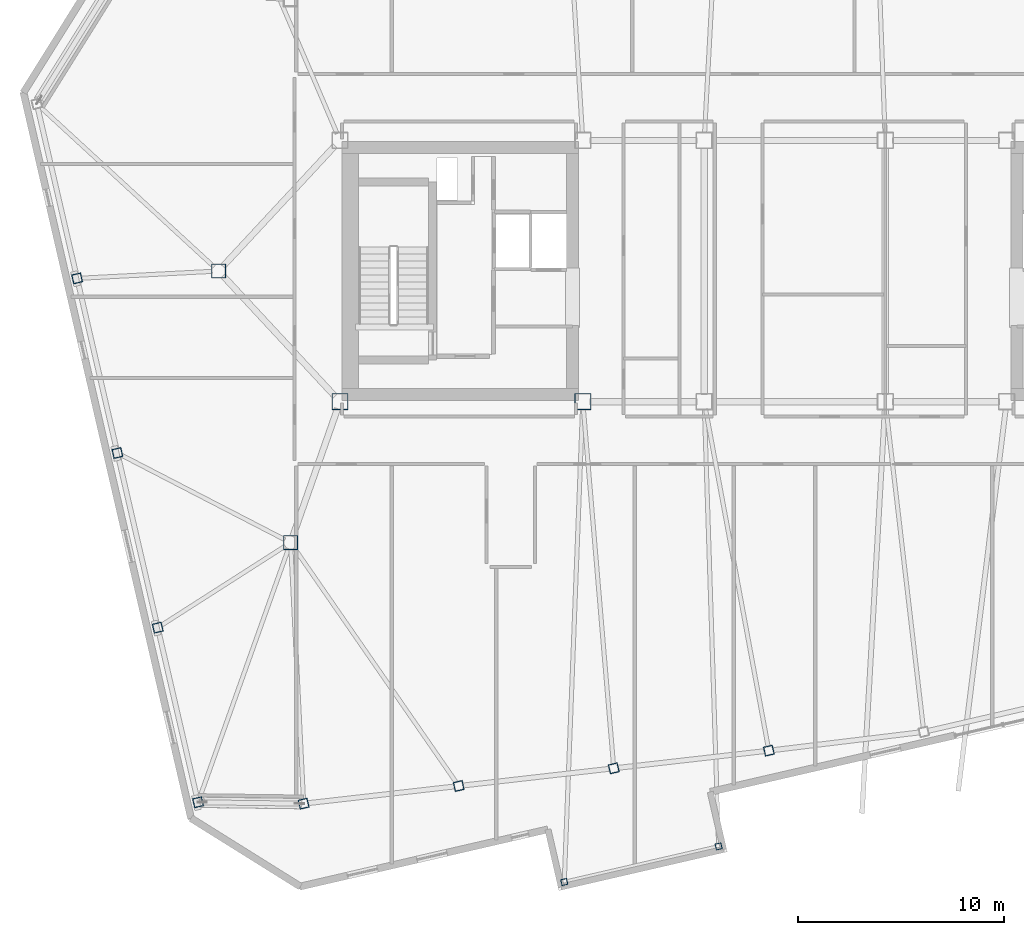
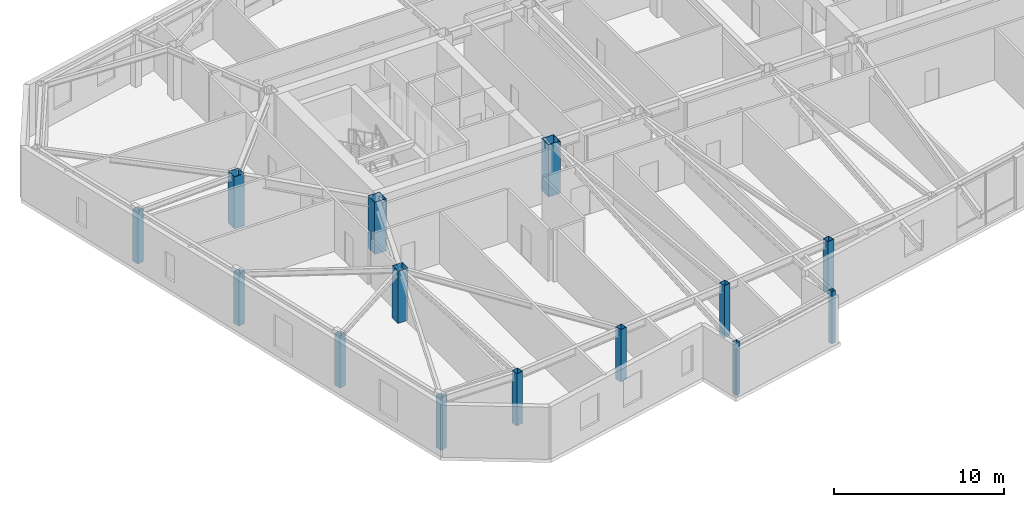
# One storey, part 1 of 21: 14 columns.
"""IFC4 building model written with IfcOpenShell, lengths in metres."""

from ifc_helpers import new_model, si_unit, direction, frame, origin, origin_2d, place, context, subcontext, project, spatial, hollow_rectangle, extrude, material, material_profile, profile_set, type_object, element, save


model = new_model("IFC4")

# Units and contexts
model_context = context("Model", 3, precision=1e-05, world=origin(), true_north=direction((0.0, 1.0)))
body_context = subcontext(model_context, "Body", "Model", "MODEL_VIEW")
ifc_project = project(units=[si_unit("LENGTHUNIT", "METRE"), si_unit("AREAUNIT", "SQUARE_METRE"), si_unit("VOLUMEUNIT", "CUBIC_METRE"), si_unit("PLANEANGLEUNIT", "RADIAN"), si_unit("MASSUNIT", "GRAM", prefix="KILO")], contexts=[model_context])

# Site, building, storey
site_placement = place(None, origin())
site = spatial("IfcSite", under=ifc_project, at=site_placement, CompositionType="ELEMENT")
building_placement = place(site_placement, origin())
building = spatial("IfcBuilding", under=site, at=building_placement, Name="Tavrogorsk Clinical Tower", CompositionType="ELEMENT")
storey_placement = place(building_placement, frame((0.0, 0.0, 285.0)))
storey = spatial("IfcBuildingStorey", under=building, at=storey_placement, Name="L66", CompositionType="ELEMENT", Elevation=285.0)

# Columns
ifc_material_1 = material(Name="Structural steel S390", Category="steel")
ifc_material_profile_1 = material_profile(ifc_material_1, hollow_rectangle(XDim=0.300048828125, YDim=0.300048828125, WallThickness=0.01611328125, at=origin_2d()), Name="SHS-300x300x16")
ifc_profile_set_1 = profile_set([ifc_material_profile_1], Name="Structural steel S390")
column_type_1 = type_object("IfcColumnType", Name="DayroomCol_SHS300", PredefinedType="COLUMN", material=ifc_profile_set_1)
for number, where, z_axis, x_axis, name in (
    (1, (-11.20068359375, -29.694580078125, 0.0), (0.0, 0.0, 1.0), (0.974370064785, 0.224951054344, 0.0), "L66 Day-Room Box Column DRB-09-L"),
    (2, (-3.697998046875, -27.962646484375, 0.0), (0.0, 0.0, 1.0), (0.974370064785, 0.224951054344, 0.0), "L66 Day-Room Box Column DRB-09-R"),
):
    element("IfcColumn", number, at=place(storey_placement, frame(where, z_axis=z_axis, x_axis=x_axis)), inside=storey, type_object=column_type_1, Name=name, PredefinedType="COLUMN", context=body_context, shape_type="SweptSolid", body=[
        extrude(hollow_rectangle(XDim=0.300048828125, YDim=0.300048828125, WallThickness=0.01611328125, at=origin_2d()), origin(), (0.0, 0.0, 1.0), 3.739990234375),
    ])
ifc_material_2 = material(Name="Structural steel S440", Category="steel")
ifc_material_profile_2 = material_profile(ifc_material_2, hollow_rectangle(XDim=0.699951171875, YDim=0.699951171875, WallThickness=0.031982421875, at=origin_2d()), Name="BOX-700x700x32")
ifc_profile_set_2 = profile_set([ifc_material_profile_2], Name="Structural steel S440")
column_type_2 = type_object("IfcColumnType", Name="MegaCol_BOX700", PredefinedType="COLUMN", material=ifc_profile_set_2)
for number, where, z_axis, x_axis, name in (
    (3, (-24.5, -13.199951171875, 0.0), (0.0, 0.0, 1.0), (1.0, 0.0, 0.0), "L66 Spine Pilotis Column MC-P1"),
    (4, (-28.0, 0.0, 0.0), (0.0, 0.0, 1.0), (1.0, 0.0, 0.0), "L66 Spine Pilotis Column MC-P5"),
):
    element("IfcColumn", number, at=place(storey_placement, frame(where, z_axis=z_axis, x_axis=x_axis)), inside=storey, type_object=column_type_2, Name=name, PredefinedType="COLUMN", context=body_context, shape_type="SweptSolid", body=[
        extrude(hollow_rectangle(XDim=0.699951171875, YDim=0.699951171875, WallThickness=0.031982421875, at=origin_2d()), origin(), (0.0, 0.0, 1.0), 3.739990234375),
    ])
ifc_material_3 = material(Name="Structural steel S440", Category="steel")
ifc_material_profile_3 = material_profile(ifc_material_3, hollow_rectangle(XDim=0.800048828125, YDim=0.800048828125, WallThickness=0.035888671875, at=origin_2d()), Name="BOX-800x800x36")
ifc_profile_set_3 = profile_set([ifc_material_profile_3], Name="Structural steel S440")
column_type_3 = type_object("IfcColumnType", Name="MegaCol_BOX800", PredefinedType="COLUMN", material=ifc_profile_set_3)
for number, where, z_axis, x_axis, name in (
    (5, (-22.10009765625, -6.35009765625, 0.0), (0.0, 0.0, 1.0), (1.0, 0.0, 0.0), "L66 Mega Column MC-W1"),
    (6, (-10.300048828125, -6.35009765625, 0.0), (0.0, 0.0, 1.0), (1.0, 0.0, 0.0), "L66 Mega Column MC-W3"),
):
    element("IfcColumn", number, at=place(storey_placement, frame(where, z_axis=z_axis, x_axis=x_axis)), inside=storey, type_object=column_type_3, Name=name, PredefinedType="COLUMN", context=body_context, shape_type="SweptSolid", body=[
        extrude(hollow_rectangle(XDim=0.800048828125, YDim=0.800048828125, WallThickness=0.035888671875, at=origin_2d()), origin(), (0.0, 0.0, 1.0), 3.739990234375),
    ])
ifc_material_4 = material(Name="Structural steel S440", Category="steel")
ifc_material_profile_4 = material_profile(ifc_material_4, hollow_rectangle(XDim=0.449951171875, YDim=0.449951171875, WallThickness=0.02197265625, at=origin_2d()), Name="BOX-450x450x22")
ifc_profile_set_4 = profile_set([ifc_material_profile_4], Name="Structural steel S440")
column_type_4 = type_object("IfcColumnType", Name="PerimCol_B5_BOX450", PredefinedType="COLUMN", material=ifc_profile_set_4)
for number, where, z_axis, x_axis, name in (
    (7, (-23.866943359375, -25.8857421875, 0.0), (0.0, 0.0, 1.0), (0.974370064785, 0.224951054344, 0.0), "L66 Perimeter Column S1"),
    (8, (-16.330322265625, -25.027099609375, 0.0), (0.0, 0.0, 1.0), (0.974370064785, 0.224951054344, 0.0), "L66 Perimeter Column S2"),
    (9, (-8.7939453125, -24.16845703125, 0.0), (0.0, 0.0, 1.0), (0.974370064785, 0.224951054344, 0.0), "L66 Perimeter Column S3"),
    (10, (-1.257568359375, -23.309814453125, 0.0), (0.0, 0.0, 1.0), (0.974370064785, 0.224951054344, 0.0), "L66 Perimeter Column S4"),
    (11, (-34.876708984375, -0.358642578125, 0.0), (0.0, 0.0, 1.0), (0.974370064785, 0.224951054344, 0.0), "L66 Perimeter Column W2"),
    (12, (-32.917236328125, -8.845458984375, 0.0), (0.0, 0.0, 1.0), (0.974370064785, 0.224951054344, 0.0), "L66 Perimeter Column W3"),
    (13, (-30.9580078125, -17.332275390625, 0.0), (0.0, 0.0, 1.0), (0.974370064785, 0.224951054344, 0.0), "L66 Perimeter Column W4"),
    (14, (-28.99853515625, -25.819091796875, 0.0), (0.0, 0.0, 1.0), (0.974370064785, 0.224951054344, 0.0), "L66 Perimeter Column W5"),
):
    element("IfcColumn", number, at=place(storey_placement, frame(where, z_axis=z_axis, x_axis=x_axis)), inside=storey, type_object=column_type_4, Name=name, PredefinedType="COLUMN", context=body_context, shape_type="SweptSolid", body=[
        extrude(hollow_rectangle(XDim=0.449951171875, YDim=0.449951171875, WallThickness=0.02197265625, at=origin_2d()), origin(), (0.0, 0.0, 1.0), 3.739990234375),
    ])

save(model, "model.ifc")
